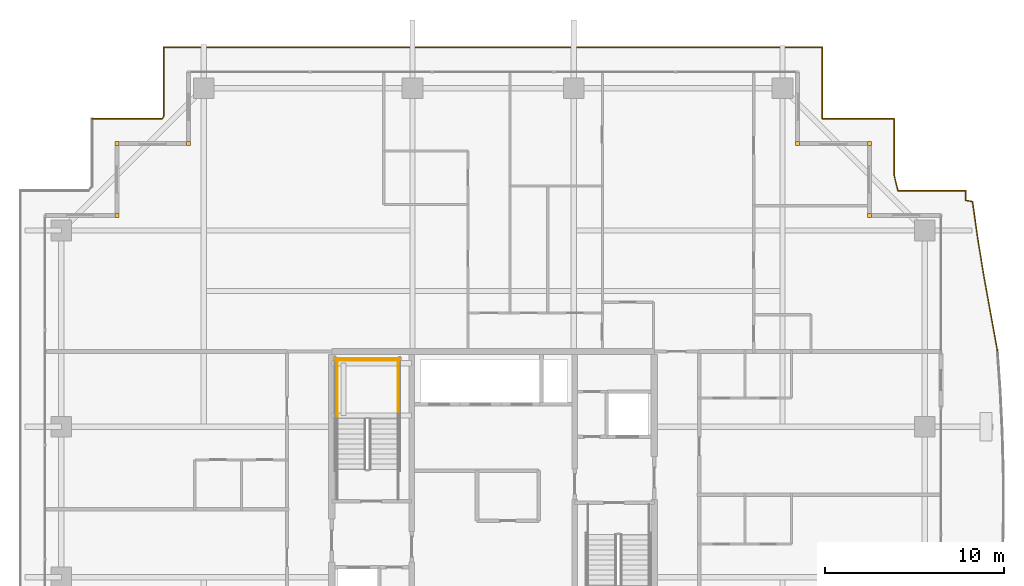
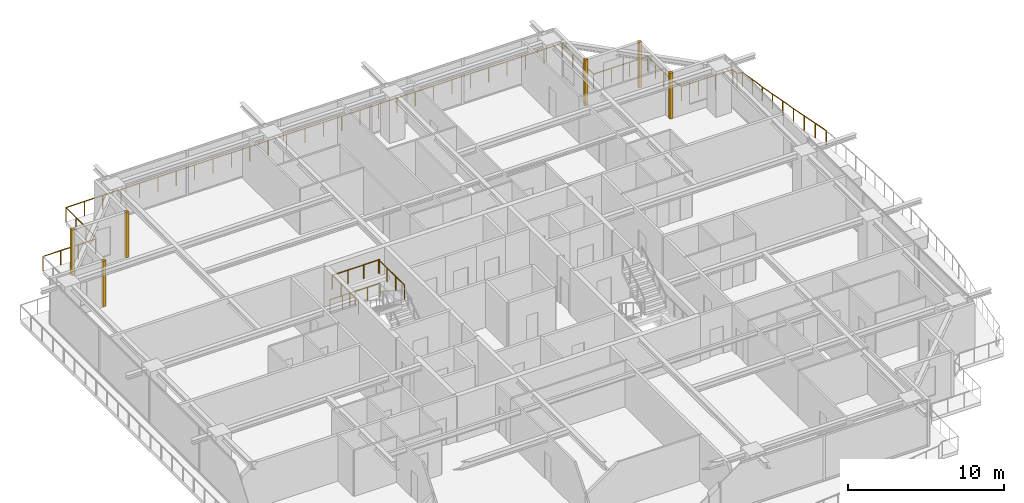
# One storey, part 37 of 37: 6 coverings, 6 railings.
"""IFC4 building model written with IfcOpenShell, lengths in metres."""

from ifc_helpers import new_model, si_unit, direction, frame, origin, origin_2d, place, context, subcontext, project, spatial, rectangle, circle, extrude, source, transform, mapped, material, layer, layer_set, type_object, element, save


model = new_model("IFC4")

# Units and contexts
model_context = context("Model", 3, precision=1e-05, world=origin(), true_north=direction((0.0, 1.0)))
body_context = subcontext(model_context, "Body", "Model", "MODEL_VIEW")
ifc_project = project(units=[si_unit("LENGTHUNIT", "METRE"), si_unit("AREAUNIT", "SQUARE_METRE"), si_unit("VOLUMEUNIT", "CUBIC_METRE"), si_unit("PLANEANGLEUNIT", "RADIAN"), si_unit("MASSUNIT", "GRAM", prefix="KILO")], contexts=[model_context])

# Site, building, storey
site_placement = place(None, origin())
site = spatial("IfcSite", under=ifc_project, at=site_placement, CompositionType="ELEMENT")
building_placement = place(site_placement, origin())
building = spatial("IfcBuilding", under=site, at=building_placement, Name="Serunith Strait Residences", CompositionType="ELEMENT")
storey_placement = place(building_placement, frame((0.0, 0.0, 260.5)))
storey = spatial("IfcBuildingStorey", under=building, at=storey_placement, Name="L65", CompositionType="ELEMENT", Elevation=260.5)

# Railings
ifc_material_1 = material(Name="Stainless Steel & Laminated Glass Balustrade", Category="steel")
railing_type_1 = type_object("IfcRailingType", Name="RLG-BALC-1150", PredefinedType="BALUSTRADE", material=ifc_material_1)
railing_1_placement = place(storey_placement, frame((10.02001953125, 46.580078125, -0.050048828125)))
element("IfcRailing", 1, at=railing_1_placement, inside=storey, type_object=railing_type_1, Name="L65 Swirling Balcony Perimeter Balustrade 2", PredefinedType="BALUSTRADE", context=body_context, shape_type="SweptSolid", body=[
    extrude(circle(Radius=0.02392578125, at=origin_2d()), frame((0.001953125, 0.0, 1.1259765625), z_axis=(1.0, 0.0, 0.0), x_axis=(0.0, 1.0, 0.0)), (0.0, 0.0, 1.0), 3.89501953125),
    extrude(circle(Radius=0.02392578125, at=origin_2d()), frame((3.89990234375, 0.001708984375, 1.1259765625), z_axis=(0.547356223896, 0.836899733638, 0.0), x_axis=(-0.836899733638, 0.547356223896, 0.0)), (0.0, 0.0, 1.0), 0.1806640625),
    extrude(circle(Radius=0.02392578125, at=origin_2d()), frame((4.0, 0.156494140625, 1.1259765625), z_axis=(0.0, 1.0, 0.0), x_axis=(-1.0, 0.0, 0.0)), (0.0, 0.0, 1.0), 3.841552734375),
    extrude(circle(Radius=0.02392578125, at=origin_2d()), frame((4.001953125, 4.0, 1.1259765625), z_axis=(1.0, 0.0, 0.0), x_axis=(0.0, 1.0, 0.0)), (0.0, 0.0, 1.0), 36.756103515625),
    extrude(circle(Radius=0.02392578125, at=origin_2d()), frame((40.760009765625, 3.998046875, 1.1259765625), z_axis=(0.0, -1.0, 0.0), x_axis=(1.0, 0.0, 0.0)), (0.0, 0.0, 1.0), 3.99609375),
    extrude(circle(Radius=0.02392578125, at=origin_2d()), frame((40.761962890625, 0.0, 1.1259765625), z_axis=(1.0, 0.0, 0.0), x_axis=(0.0, 1.0, 0.0)), (0.0, 0.0, 1.0), 3.99609375),
    extrude(circle(Radius=0.02392578125, at=origin_2d()), frame((44.760009765625, -0.001953125, 1.1259765625), z_axis=(0.0, -1.0, 0.0), x_axis=(1.0, 0.0, 0.0)), (0.0, 0.0, 1.0), 3.1162109375),
    extrude(circle(Radius=0.02392578125, at=origin_2d()), frame((44.760498046875, -3.1220703125, 1.1259765625), z_axis=(0.237713053074, -0.971335423218, 0.0), x_axis=(0.971335423218, 0.237713053074, 0.0)), (0.0, 0.0, 1.0), 0.90185546875),
    extrude(circle(Radius=0.02099609375, at=origin_2d()), origin(), (0.0, 0.0, 1.0), 1.099853515625),
    extrude(circle(Radius=0.02099609375, at=origin_2d()), frame((1.299560546875, 0.0, 0.0)), (0.0, 0.0, 1.0), 1.099853515625),
    extrude(circle(Radius=0.02099609375, at=origin_2d()), frame((2.599365234375, 0.0, 0.0)), (0.0, 0.0, 1.0), 1.099853515625),
    extrude(circle(Radius=0.02099609375, at=origin_2d()), frame((3.89892578125, 0.0, 0.0)), (0.0, 0.0, 1.0), 1.099853515625),
    extrude(circle(Radius=0.02099609375, at=origin_2d()), frame((4.0, 0.154541015625, 0.0)), (0.0, 0.0, 1.0), 1.099853515625),
    extrude(circle(Radius=0.02099609375, at=origin_2d()), frame((4.0, 1.436279296875, 0.0)), (0.0, 0.0, 1.0), 1.099853515625),
    extrude(circle(Radius=0.02099609375, at=origin_2d()), frame((4.0, 2.71826171875, 0.0)), (0.0, 0.0, 1.0), 1.099853515625),
    extrude(circle(Radius=0.02099609375, at=origin_2d()), frame((4.0, 4.0, 0.0)), (0.0, 0.0, 1.0), 1.099853515625),
    extrude(circle(Radius=0.02099609375, at=origin_2d()), frame((5.361572265625, 4.0, 0.0)), (0.0, 0.0, 1.0), 1.099853515625),
    extrude(circle(Radius=0.02099609375, at=origin_2d()), frame((6.722900390625, 4.0, 0.0)), (0.0, 0.0, 1.0), 1.099853515625),
    extrude(circle(Radius=0.02099609375, at=origin_2d()), frame((8.08447265625, 4.0, 0.0)), (0.0, 0.0, 1.0), 1.099853515625),
    extrude(circle(Radius=0.02099609375, at=origin_2d()), frame((9.446044921875, 4.0, 0.0)), (0.0, 0.0, 1.0), 1.099853515625),
    extrude(circle(Radius=0.02099609375, at=origin_2d()), frame((10.807373046875, 4.0, 0.0)), (0.0, 0.0, 1.0), 1.099853515625),
    extrude(circle(Radius=0.02099609375, at=origin_2d()), frame((12.1689453125, 4.0, 0.0)), (0.0, 0.0, 1.0), 1.099853515625),
    extrude(circle(Radius=0.02099609375, at=origin_2d()), frame((13.5302734375, 4.0, 0.0)), (0.0, 0.0, 1.0), 1.099853515625),
    extrude(circle(Radius=0.02099609375, at=origin_2d()), frame((14.891845703125, 4.0, 0.0)), (0.0, 0.0, 1.0), 1.099853515625),
    extrude(circle(Radius=0.02099609375, at=origin_2d()), frame((16.25341796875, 4.0, 0.0)), (0.0, 0.0, 1.0), 1.099853515625),
    extrude(circle(Radius=0.02099609375, at=origin_2d()), frame((17.61474609375, 4.0, 0.0)), (0.0, 0.0, 1.0), 1.099853515625),
    extrude(circle(Radius=0.02099609375, at=origin_2d()), frame((18.976318359375, 4.0, 0.0)), (0.0, 0.0, 1.0), 1.099853515625),
    extrude(circle(Radius=0.02099609375, at=origin_2d()), frame((20.337890625, 4.0, 0.0)), (0.0, 0.0, 1.0), 1.099853515625),
    extrude(circle(Radius=0.02099609375, at=origin_2d()), frame((21.69921875, 4.0, 0.0)), (0.0, 0.0, 1.0), 1.099853515625),
    extrude(circle(Radius=0.02099609375, at=origin_2d()), frame((23.060791015625, 4.0, 0.0)), (0.0, 0.0, 1.0), 1.099853515625),
    extrude(circle(Radius=0.02099609375, at=origin_2d()), frame((24.422119140625, 4.0, 0.0)), (0.0, 0.0, 1.0), 1.099853515625),
    extrude(circle(Radius=0.02099609375, at=origin_2d()), frame((25.78369140625, 4.0, 0.0)), (0.0, 0.0, 1.0), 1.099853515625),
    extrude(circle(Radius=0.02099609375, at=origin_2d()), frame((27.145263671875, 4.0, 0.0)), (0.0, 0.0, 1.0), 1.099853515625),
    extrude(circle(Radius=0.02099609375, at=origin_2d()), frame((28.506591796875, 4.0, 0.0)), (0.0, 0.0, 1.0), 1.099853515625),
    extrude(circle(Radius=0.02099609375, at=origin_2d()), frame((29.8681640625, 4.0, 0.0)), (0.0, 0.0, 1.0), 1.099853515625),
    extrude(circle(Radius=0.02099609375, at=origin_2d()), frame((31.229736328125, 4.0, 0.0)), (0.0, 0.0, 1.0), 1.099853515625),
    extrude(circle(Radius=0.02099609375, at=origin_2d()), frame((32.591064453125, 4.0, 0.0)), (0.0, 0.0, 1.0), 1.099853515625),
    extrude(circle(Radius=0.02099609375, at=origin_2d()), frame((33.95263671875, 4.0, 0.0)), (0.0, 0.0, 1.0), 1.099853515625),
    extrude(circle(Radius=0.02099609375, at=origin_2d()), frame((35.31396484375, 4.0, 0.0)), (0.0, 0.0, 1.0), 1.099853515625),
    extrude(circle(Radius=0.02099609375, at=origin_2d()), frame((36.675537109375, 4.0, 0.0)), (0.0, 0.0, 1.0), 1.099853515625),
    extrude(circle(Radius=0.02099609375, at=origin_2d()), frame((38.037109375, 4.0, 0.0)), (0.0, 0.0, 1.0), 1.099853515625),
    extrude(circle(Radius=0.02099609375, at=origin_2d()), frame((39.3984375, 4.0, 0.0)), (0.0, 0.0, 1.0), 1.099853515625),
    extrude(circle(Radius=0.02099609375, at=origin_2d()), frame((40.760009765625, 4.0, 0.0)), (0.0, 0.0, 1.0), 1.099853515625),
    extrude(circle(Radius=0.02099609375, at=origin_2d()), frame((40.760009765625, 2.666748046875, 0.0)), (0.0, 0.0, 1.0), 1.099853515625),
    extrude(circle(Radius=0.02099609375, at=origin_2d()), frame((40.760009765625, 1.333251953125, 0.0)), (0.0, 0.0, 1.0), 1.099853515625),
    extrude(circle(Radius=0.02099609375, at=origin_2d()), frame((40.760009765625, 0.0, 0.0)), (0.0, 0.0, 1.0), 1.099853515625),
    extrude(circle(Radius=0.02099609375, at=origin_2d()), frame((42.09326171875, 0.0, 0.0)), (0.0, 0.0, 1.0), 1.099853515625),
    extrude(circle(Radius=0.02099609375, at=origin_2d()), frame((43.4267578125, 0.0, 0.0)), (0.0, 0.0, 1.0), 1.099853515625),
    extrude(circle(Radius=0.02099609375, at=origin_2d()), frame((44.760009765625, 0.0, 0.0)), (0.0, 0.0, 1.0), 1.099853515625),
    extrude(circle(Radius=0.02099609375, at=origin_2d()), frame((44.760009765625, -1.0400390625, 0.0)), (0.0, 0.0, 1.0), 1.099853515625),
    extrude(circle(Radius=0.02099609375, at=origin_2d()), frame((44.760009765625, -2.080078125, 0.0)), (0.0, 0.0, 1.0), 1.099853515625),
    extrude(circle(Radius=0.02099609375, at=origin_2d()), frame((44.760009765625, -3.1201171875, 0.0)), (0.0, 0.0, 1.0), 1.099853515625),
    extrude(circle(Radius=0.02099609375, at=origin_2d()), frame((44.975341796875, -4.0, 0.0)), (0.0, 0.0, 1.0), 1.099853515625),
])
railing_2_placement = place(storey_placement, frame((54.995361328125, 42.580078125, -0.050048828125)))
element("IfcRailing", 2, at=railing_2_placement, inside=storey, type_object=railing_type_1, Name="L65 Swirling Balcony Perimeter Balustrade 3", PredefinedType="BALUSTRADE", context=body_context, shape_type="SweptSolid", body=[
    extrude(circle(Radius=0.02392578125, at=origin_2d()), frame((0.001953125, 0.0, 1.1259765625), z_axis=(1.0, 0.0, 0.0), x_axis=(0.0, 1.0, 0.0)), (0.0, 0.0, 1.0), 3.78076171875),
    extrude(circle(Radius=0.02392578125, at=origin_2d()), frame((3.78466796875, -0.001953125, 1.1259765625), z_axis=(0.0, -1.0, 0.0), x_axis=(1.0, 0.0, 0.0)), (0.0, 0.0, 1.0), 0.54296875),
    extrude(circle(Radius=0.02392578125, at=origin_2d()), frame((3.78662109375, -0.547119140625, 1.1259765625), z_axis=(0.986083487131, -0.166250883931, 0.0), x_axis=(0.166250883931, 0.986083487131, 0.0)), (0.0, 0.0, 1.0), 0.380859375),
    extrude(circle(Radius=0.02392578125, at=origin_2d()), frame((4.164306640625, -0.61279296875, 1.1259765625), z_axis=(0.138869779718, -0.990310650393, 0.0), x_axis=(0.990310650393, 0.138869779718, 0.0)), (0.0, 0.0, 1.0), 2.0458984375),
    extrude(circle(Radius=0.02392578125, at=origin_2d()), frame((4.448974609375, -2.642822265625, 1.1259765625), z_axis=(0.161848100263, -0.986815683115, 0.0), x_axis=(0.986815683115, 0.161848100263, 0.0)), (0.0, 0.0, 1.0), 2.076171875),
    extrude(circle(Radius=0.02392578125, at=origin_2d()), frame((4.78564453125, -4.695556640625, 1.1259765625), z_axis=(0.177308722713, -0.984155280863, 0.0), x_axis=(0.984155280863, 0.177308722713, 0.0)), (0.0, 0.0, 1.0), 2.1220703125),
    extrude(circle(Radius=0.02392578125, at=origin_2d()), frame((5.16259765625, -6.787841796875, 1.1259765625), z_axis=(0.179475462344, -0.983762450196, 0.0), x_axis=(0.983762450196, 0.179475462344, 0.0)), (0.0, 0.0, 1.0), 2.1806640625),
    extrude(circle(Radius=0.02099609375, at=origin_2d()), origin(), (0.0, 0.0, 1.0), 1.099853515625),
    extrude(circle(Radius=0.02099609375, at=origin_2d()), frame((1.261474609375, 0.0, 0.0)), (0.0, 0.0, 1.0), 1.099853515625),
    extrude(circle(Radius=0.02099609375, at=origin_2d()), frame((2.523193359375, 0.0, 0.0)), (0.0, 0.0, 1.0), 1.099853515625),
    extrude(circle(Radius=0.02099609375, at=origin_2d()), frame((3.78466796875, 0.0, 0.0)), (0.0, 0.0, 1.0), 1.099853515625),
    extrude(circle(Radius=0.02099609375, at=origin_2d()), frame((3.78466796875, -0.546875, 0.0)), (0.0, 0.0, 1.0), 1.099853515625),
    extrude(circle(Radius=0.02099609375, at=origin_2d()), frame((4.1640625, -0.61083984375, 0.0)), (0.0, 0.0, 1.0), 1.099853515625),
    extrude(circle(Radius=0.02099609375, at=origin_2d()), frame((4.306396484375, -1.6259765625, 0.0)), (0.0, 0.0, 1.0), 1.099853515625),
    extrude(circle(Radius=0.02099609375, at=origin_2d()), frame((4.44873046875, -2.640869140625, 0.0)), (0.0, 0.0, 1.0), 1.099853515625),
    extrude(circle(Radius=0.02099609375, at=origin_2d()), frame((4.6171875, -3.667236328125, 0.0)), (0.0, 0.0, 1.0), 1.099853515625),
    extrude(circle(Radius=0.02099609375, at=origin_2d()), frame((4.785400390625, -4.693603515625, 0.0)), (0.0, 0.0, 1.0), 1.099853515625),
    extrude(circle(Radius=0.02099609375, at=origin_2d()), frame((4.973876953125, -5.73974609375, 0.0)), (0.0, 0.0, 1.0), 1.099853515625),
    extrude(circle(Radius=0.02099609375, at=origin_2d()), frame((5.162353515625, -6.785888671875, 0.0)), (0.0, 0.0, 1.0), 1.099853515625),
    extrude(circle(Radius=0.02099609375, at=origin_2d()), frame((5.3583984375, -7.8603515625, 0.0)), (0.0, 0.0, 1.0), 1.099853515625),
    extrude(circle(Radius=0.02099609375, at=origin_2d()), frame((5.554443359375, -8.93505859375, 0.0)), (0.0, 0.0, 1.0), 1.099853515625),
])
ifc_material_2 = material(Name="Brushed stainless steel 316L", Category="steel")
railing_type_2 = type_object("IfcRailingType", Name="RLG-STAIR-GUARD", PredefinedType="BALUSTRADE", material=ifc_material_2)
for number, where, name in (
    (3, (27.10009765625, 29.830078125, 1.925048828125), "L65 ST-1 stair guard 3"),
    (4, (23.699951171875, 29.830078125, 1.925048828125), "L65 ST-1 stair guard 4"),
):
    element("IfcRailing", number, at=place(storey_placement, frame(where)), inside=storey, type_object=railing_type_2, Name=name, PredefinedType="BALUSTRADE", context=body_context, shape_type="SweptSolid", body=[
        extrude(circle(Radius=0.02392578125, at=origin_2d()), frame((0.0, 0.001953125, 1.076171875), z_axis=(0.0, 1.0, 0.0), x_axis=(-1.0, 0.0, 0.0)), (0.0, 0.0, 1.0), 3.31591796875),
        extrude(circle(Radius=0.02099609375, at=origin_2d()), origin(), (0.0, 0.0, 1.0), 1.050048828125),
        extrude(circle(Radius=0.02099609375, at=origin_2d()), frame((0.0, 1.106689453125, 0.0)), (0.0, 0.0, 1.0), 1.050048828125),
        extrude(circle(Radius=0.02099609375, at=origin_2d()), frame((0.0, 2.213134765625, 0.0)), (0.0, 0.0, 1.0), 1.050048828125),
        extrude(circle(Radius=0.02099609375, at=origin_2d()), frame((0.0, 3.31982421875, 0.0)), (0.0, 0.0, 1.0), 1.050048828125),
    ])
railing_3_placement = place(storey_placement, frame((27.14990234375, 33.10009765625, 1.925048828125)))
element("IfcRailing", 5, at=railing_3_placement, inside=storey, type_object=railing_type_2, Name="L65 ST-1 stair guard 5", PredefinedType="BALUSTRADE", context=body_context, shape_type="SweptSolid", body=[
    extrude(circle(Radius=0.02392578125, at=origin_2d()), frame((-0.001953125, 0.0, 1.076171875), z_axis=(-1.0, 0.0, 0.0), x_axis=(0.0, -1.0, 0.0)), (0.0, 0.0, 1.0), 3.49609375),
    extrude(circle(Radius=0.02099609375, at=origin_2d()), origin(), (0.0, 0.0, 1.0), 1.050048828125),
    extrude(circle(Radius=0.02099609375, at=origin_2d()), frame((-1.166748046875, 0.0, 0.0)), (0.0, 0.0, 1.0), 1.050048828125),
    extrude(circle(Radius=0.02099609375, at=origin_2d()), frame((-2.333251953125, 0.0, 0.0)), (0.0, 0.0, 1.0), 1.050048828125),
    extrude(circle(Radius=0.02099609375, at=origin_2d()), frame((-3.5, 0.0, 0.0)), (0.0, 0.0, 1.0), 1.050048828125),
])
railing_4_placement = place(storey_placement, frame((27.25, 33.199951171875, 0.0)))
element("IfcRailing", 6, at=railing_4_placement, inside=storey, type_object=railing_type_2, Name="L65 ST-1 stair guard 12", PredefinedType="BALUSTRADE", context=body_context, shape_type="SweptSolid", body=[
    extrude(circle(Radius=0.02392578125, at=origin_2d()), frame((-0.001953125, 0.0, 1.076171875), z_axis=(-1.0, 0.0, 0.0), x_axis=(0.0, -1.0, 0.0)), (0.0, 0.0, 1.0), 3.696044921875),
    extrude(circle(Radius=0.02099609375, at=origin_2d()), origin(), (0.0, 0.0, 1.0), 1.050048828125),
    extrude(circle(Radius=0.02099609375, at=origin_2d()), frame((-0.925048828125, 0.0, 0.0)), (0.0, 0.0, 1.0), 1.050048828125),
    extrude(circle(Radius=0.02099609375, at=origin_2d()), frame((-1.85009765625, 0.0, 0.0)), (0.0, 0.0, 1.0), 1.050048828125),
    extrude(circle(Radius=0.02099609375, at=origin_2d()), frame((-2.77490234375, 0.0, 0.0)), (0.0, 0.0, 1.0), 1.050048828125),
    extrude(circle(Radius=0.02099609375, at=origin_2d()), frame((-3.699951171875, 0.0, 0.0)), (0.0, 0.0, 1.0), 1.050048828125),
])

# Coverings
ifc_material_3 = material(Name="Pale-Champagne Anodised Aluminium", Category="aluminium")
ifc_layer = layer(ifc_material_3, 0.219970703125, Name="Pale-Champagne Anodised Aluminium")
ifc_layer_set = layer_set([ifc_layer], Name="Pale-Champagne Anodised Aluminium")
covering_type = type_object("IfcCoveringType", Name="COV-CORN-TRIM", PredefinedType="CLADDING", material=ifc_layer_set)
shared_shape = source(origin(), body_context, "Body", "SweptSolid", [
    extrude(rectangle(XDim=0.221923828125, YDim=0.221923828125, at=origin_2d()), origin(), (0.0, 0.0, 1.0), 3.574951171875),
])
for number, where, z_axis, x_axis, name in (
    (7, (53.39990234375, 41.199951171875, 0.0), (0.0, 0.0, 1.0), (1.0, 0.0, 0.0), "L65 Girih Serrated Corner Trim Post 07"),
    (8, (53.39990234375, 45.199951171875, 0.0), (0.0, 0.0, 1.0), (1.0, 0.0, 0.0), "L65 Girih Serrated Corner Trim Post 08"),
    (9, (49.39990234375, 45.199951171875, 0.0), (0.0, 0.0, 1.0), (1.0, 0.0, 0.0), "L65 Girih Serrated Corner Trim Post 09"),
    (10, (15.39990234375, 45.199951171875, 0.0), (0.0, 0.0, 1.0), (1.0, 0.0, 0.0), "L65 Girih Serrated Corner Trim Post 12"),
    (11, (11.39990234375, 45.199951171875, 0.0), (0.0, 0.0, 1.0), (1.0, 0.0, 0.0), "L65 Girih Serrated Corner Trim Post 13"),
    (12, (11.39990234375, 41.199951171875, 0.0), (0.0, 0.0, 1.0), (1.0, 0.0, 0.0), "L65 Girih Serrated Corner Trim Post 14"),
):
    element("IfcCovering", number, at=place(storey_placement, frame(where, z_axis=z_axis, x_axis=x_axis)), inside=storey, type_object=covering_type, Name=name, PredefinedType="CLADDING", context=body_context, shape_type="MappedRepresentation", body=[
        mapped(shared_shape, transform((0.0, 0.0, 0.0), scale=1.0)),
    ])

save(model, "model.ifc")
